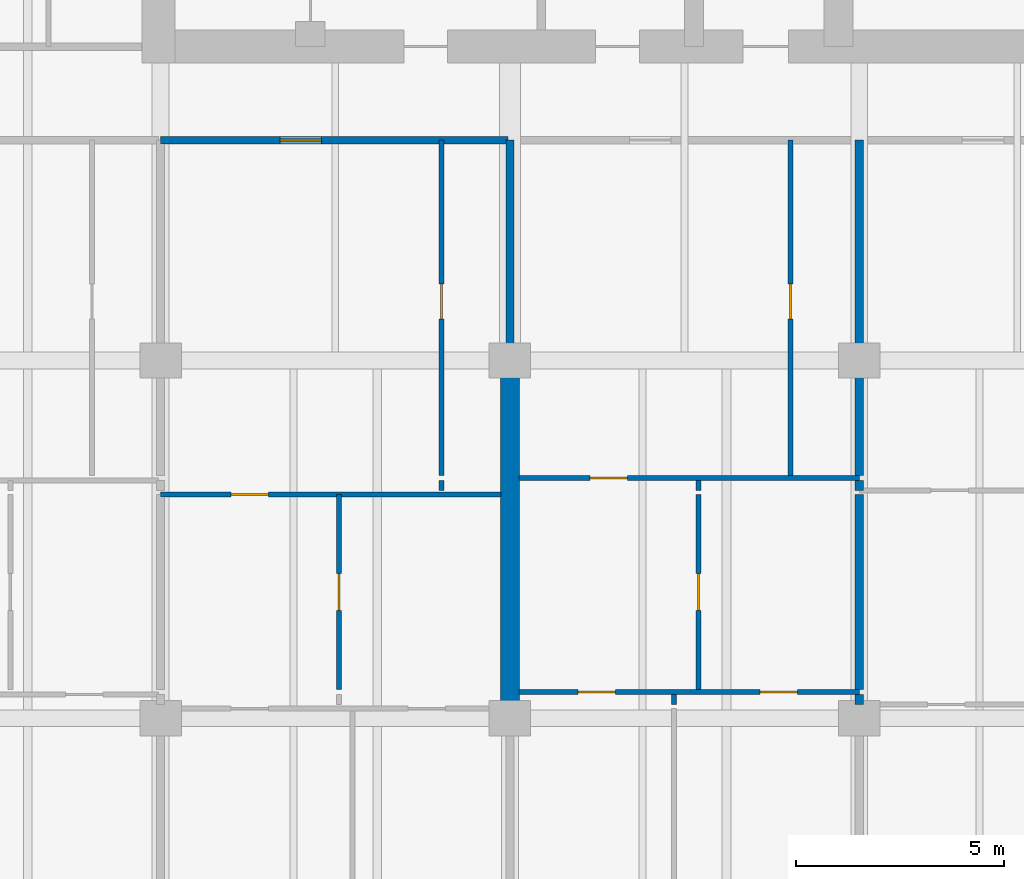
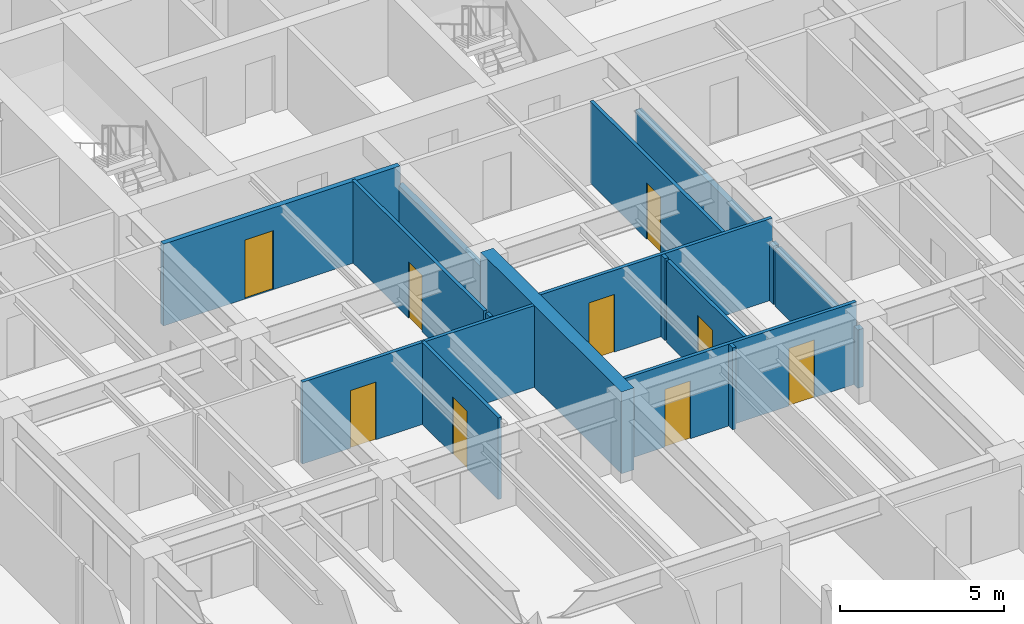
# One storey, part 7 of 18: 17 walls, 9 doors, 9 openings.
"""IFC4 building model written with IfcOpenShell, lengths in metres."""

from ifc_helpers import new_model, si_unit, direction, frame, frame_2d, origin, place, context, subcontext, project, spatial, rectangle, extrude, material, layer, layer_set, type_object, element, fill, save


model = new_model("IFC4")

# Units and contexts
model_context = context("Model", 3, precision=1e-05, world=origin(), true_north=direction((0.0, 1.0)))
body_context = subcontext(model_context, "Body", "Model", "MODEL_VIEW")
ifc_project = project(units=[si_unit("LENGTHUNIT", "METRE"), si_unit("AREAUNIT", "SQUARE_METRE"), si_unit("VOLUMEUNIT", "CUBIC_METRE"), si_unit("PLANEANGLEUNIT", "RADIAN"), si_unit("MASSUNIT", "GRAM", prefix="KILO")], contexts=[model_context])

# Site, building, storey
site_placement = place(None, origin())
site = spatial("IfcSite", under=ifc_project, at=site_placement, CompositionType="ELEMENT")
building_placement = place(site_placement, origin())
building = spatial("IfcBuilding", under=site, at=building_placement, Name="Caelmar Bay Residences", CompositionType="ELEMENT")
storey_placement = place(building_placement, frame((0.0, 0.0, 129.0)))
storey = spatial("IfcBuildingStorey", under=building, at=storey_placement, Name="L35", CompositionType="ELEMENT", Elevation=129.0)

# Wall
ifc_material_1 = material(Name="Concrete f'c 55 MPa (8,000 psi)", Category="concrete")
ifc_layer_1 = layer(ifc_material_1, 0.449951171875)
ifc_layer_set_1 = layer_set([ifc_layer_1], Name="Concrete f'c 55 MPa (8,000 psi)")
wall_type_1 = type_object("IfcWallType", Name="SW-XSLB-450", PredefinedType="SHEAR", material=ifc_layer_set_1)
wall_1_placement = place(storey_placement, frame((26.699951171875, 20.800048828125, 0.0), z_axis=(0.0, 0.0, 1.0), x_axis=(0.0, 1.0, 0.0)))
element("IfcWall", 1, at=wall_1_placement, inside=storey, type_object=wall_type_1, Name="L35 Transverse Cross-Slab Shear Wall W5", PredefinedType="SHEAR", context=body_context, shape_type="SweptSolid", body=[
    extrude(rectangle(XDim=8.599853515625, YDim=0.449951171875, at=frame_2d((4.2998046875, 0.0))), origin(), (0.0, 0.0, 1.0), 3.050048828125),
])

# Wall, opening, door
ifc_material_2 = material(Name="Double-stud acoustic fire-rated gypsum partition 180 mm")
ifc_layer_2 = layer(ifc_material_2, 0.179931640625)
ifc_layer_set_2 = layer_set([ifc_layer_2], Name="Double-stud acoustic fire-rated gypsum partition 180 mm")
wall_type_2 = type_object("IfcWallType", Name="W-COR-200", PredefinedType="PARTITIONING", material=ifc_layer_set_2)
wall_2_placement = place(storey_placement, frame((18.300048828125, 34.699951171875, 0.0), z_axis=(0.0, 0.0, 1.0), x_axis=(1.0, 0.0, 0.0)))
wall_2 = element("IfcWall", 2, at=wall_2_placement, inside=storey, type_object=wall_type_2, Name="L35 Partition Wall H143", PredefinedType="PARTITIONING", context=body_context, shape_type="SweptSolid", body=[
    extrude(rectangle(XDim=8.349853515625, YDim=0.179931640625, at=frame_2d((4.1748046875, 0.0))), origin(), (0.0, 0.0, 1.0), 3.050048828125),
])
opening_1_placement = place(wall_2_placement, frame((2.875, 0.0, 0.0)))
opening_1 = element("IfcOpeningElement", 3, at=opening_1_placement, cuts=wall_2, Name="Opening D-L35-131", PredefinedType="OPENING", context=body_context, shape_type="SweptSolid", body=[
    extrude(rectangle(XDim=1.0, YDim=2.199951171875, at=frame_2d((0.5, 1.10009765625))), frame((0.0, 0.099853515625, 0.0), z_axis=(0.0, -1.0, 0.0), x_axis=(1.0, 0.0, 0.0)), (0.0, 0.0, 1.0), 0.199951171875),
])
ifc_material_3 = material(Name="Fire-rated steel and walnut architectural door assembly", Category="steel")
ifc_layer_3 = layer(ifc_material_3, 0.050048828125)
ifc_layer_set_3 = layer_set([ifc_layer_3], Name="Fire-rated steel and walnut architectural door assembly")
door_type_1 = type_object("IfcDoorType", Name="D-UNIT-1000", OperationType="NOTDEFINED", PredefinedType="DOOR", material=ifc_layer_set_3)
door_1_placement = place(opening_1_placement, origin())
door_1 = element("IfcDoor", 4, at=door_1_placement, inside=storey, type_object=door_type_1, Name="L35 Residence 02 Apartment Hall Door", OperationType="SINGLE_SWING_RIGHT", OverallHeight=2.199951171875, OverallWidth=1.0, PredefinedType="DOOR", context=body_context, shape_type="SweptSolid", body=[
    extrude(rectangle(XDim=1.0, YDim=2.199951171875, at=frame_2d((0.5, 1.10009765625))), frame((0.0, 0.02490234375, 0.0), z_axis=(0.0, -1.0, 0.0), x_axis=(1.0, 0.0, 0.0)), (0.0, 0.0, 1.0), 0.050048828125),
])
fill(opening_1, door_1)

ifc_material_4 = material(Name="Acoustic metal-stud gypsum partition 120 mm")
ifc_layer_4 = layer(ifc_material_4, 0.1201171875)
ifc_layer_set_4 = layer_set([ifc_layer_4], Name="Acoustic metal-stud gypsum partition 120 mm")
wall_type_3 = type_object("IfcWallType", Name="W-PRT-120", PredefinedType="PARTITIONING", material=ifc_layer_set_4)
wall_3_placement = place(storey_placement, frame((22.5859375, 21.489990234375, 0.0), z_axis=(0.0, 0.0, 1.0), x_axis=(0.0, 1.0, 0.0)))
wall_3 = element("IfcWall", 5, at=wall_3_placement, inside=storey, type_object=wall_type_3, Name="L35 Partition Wall V031", PredefinedType="PARTITIONING", context=body_context, shape_type="SweptSolid", body=[
    extrude(rectangle(XDim=4.68994140625, YDim=0.1201171875, at=frame_2d((2.344970703125, 0.0))), origin(), (0.0, 0.0, 1.0), 3.050048828125),
])
opening_2_placement = place(wall_3_placement, frame((1.89501953125, 0.0, 0.0)))
opening_2 = element("IfcOpeningElement", 6, at=opening_2_placement, cuts=wall_3, Name="Opening D-L35-134", PredefinedType="OPENING", context=body_context, shape_type="SweptSolid", body=[
    extrude(rectangle(XDim=0.89990234375, YDim=2.14990234375, at=frame_2d((0.449951171875, 1.074951171875))), frame((0.0, 0.070068359375, 0.0), z_axis=(0.0, -1.0, 0.0), x_axis=(1.0, 0.0, 0.0)), (0.0, 0.0, 1.0), 0.14013671875),
])
ifc_material_5 = material(Name="Solid walnut timber interior door leaf and frame", Category="wood")
ifc_layer_5 = layer(ifc_material_5, 0.050048828125)
ifc_layer_set_5 = layer_set([ifc_layer_5], Name="Solid walnut timber interior door leaf and frame")
door_type_2 = type_object("IfcDoorType", Name="D-ROOM-900", OperationType="NOTDEFINED", PredefinedType="DOOR", material=ifc_layer_set_5)
door_2_placement = place(opening_2_placement, origin())
door_2 = element("IfcDoor", 7, at=door_2_placement, inside=storey, type_object=door_type_2, Name="L35 Residence 02 Study Door", OperationType="SINGLE_SWING_LEFT", OverallHeight=2.14990234375, OverallWidth=0.89990234375, PredefinedType="DOOR", context=body_context, shape_type="SweptSolid", body=[
    extrude(rectangle(XDim=0.89990234375, YDim=2.14990234375, at=frame_2d((0.449951171875, 1.074951171875))), frame((0.0, 0.02490234375, 0.0), z_axis=(0.0, -1.0, 0.0), x_axis=(1.0, 0.0, 0.0)), (0.0, 0.0, 1.0), 0.050048828125),
])
fill(opening_2, door_2)

# Wall
wall_4_placement = place(storey_placement, frame((25.050048828125, 26.280029296875, 0.0), z_axis=(0.0, 0.0, 1.0), x_axis=(0.0, 1.0, 0.0)))
element("IfcWall", 8, at=wall_4_placement, inside=storey, type_object=wall_type_3, Name="L35 Partition Wall V034", PredefinedType="PARTITIONING", context=body_context, shape_type="SweptSolid", body=[
    extrude(rectangle(XDim=0.239990234375, YDim=0.1201171875, at=frame_2d((0.1201171875, 0.0))), origin(), (0.0, 0.0, 1.0), 3.050048828125),
])

# Wall, opening, door
wall_5_placement = place(storey_placement, frame((25.050048828125, 26.639892578125, 0.0), z_axis=(0.0, 0.0, 1.0), x_axis=(0.0, 1.0, 0.0)))
wall_5 = element("IfcWall", 9, at=wall_5_placement, inside=storey, type_object=wall_type_3, Name="L35 Partition Wall V035", PredefinedType="PARTITIONING", context=body_context, shape_type="SweptSolid", body=[
    extrude(rectangle(XDim=8.06005859375, YDim=0.1201171875, at=frame_2d((4.030029296875, 0.0))), origin(), (0.0, 0.0, 1.0), 3.050048828125),
])
opening_3_placement = place(wall_5_placement, frame((3.7548828125, 0.0, 0.0)))
opening_3 = element("IfcOpeningElement", 10, at=opening_3_placement, cuts=wall_5, Name="Opening D-L35-132", PredefinedType="OPENING", context=body_context, shape_type="SweptSolid", body=[
    extrude(rectangle(XDim=0.85009765625, YDim=2.10009765625, at=frame_2d((0.425048828125, 1.050048828125))), frame((0.0, 0.070068359375, 0.0), z_axis=(0.0, -1.0, 0.0), x_axis=(1.0, 0.0, 0.0)), (0.0, 0.0, 1.0), 0.14013671875),
])
ifc_layer_6 = layer(ifc_material_5, 0.050048828125)
ifc_layer_set_6 = layer_set([ifc_layer_6], Name="Solid walnut timber interior door leaf and frame")
door_type_3 = type_object("IfcDoorType", Name="D-BATH-850", OperationType="NOTDEFINED", PredefinedType="DOOR", material=ifc_layer_set_6)
door_3_placement = place(opening_3_placement, origin())
door_3 = element("IfcDoor", 11, at=door_3_placement, inside=storey, type_object=door_type_3, Name="L35 Residence 02 Bathroom Door", OperationType="SINGLE_SWING_LEFT", OverallHeight=2.10009765625, OverallWidth=0.85009765625, PredefinedType="DOOR", context=body_context, shape_type="SweptSolid", body=[
    extrude(rectangle(XDim=0.85009765625, YDim=2.10009765625, at=frame_2d((0.425048828125, 1.050048828125))), frame((0.0, 0.02490234375, 0.0), z_axis=(0.0, -1.0, 0.0), x_axis=(1.0, 0.0, 0.0)), (0.0, 0.0, 1.0), 0.050048828125),
])
fill(opening_3, door_3)

# Wall
wall_6_placement = place(storey_placement, frame((30.64794921875, 21.1298828125, 0.0), z_axis=(0.0, 0.0, 1.0), x_axis=(0.0, 1.0, 0.0)))
element("IfcWall", 12, at=wall_6_placement, inside=storey, type_object=wall_type_3, Name="L35 Partition Wall V045", PredefinedType="PARTITIONING", context=body_context, shape_type="SweptSolid", body=[
    extrude(rectangle(XDim=0.240234375, YDim=0.1201171875, at=frame_2d((0.1201171875, 0.0))), origin(), (0.0, 0.0, 1.0), 3.050048828125),
])

# Wall, opening, door
wall_7_placement = place(storey_placement, frame((31.236083984375, 21.489990234375, 0.0), z_axis=(0.0, 0.0, 1.0), x_axis=(0.0, 1.0, 0.0)))
wall_7 = element("IfcWall", 13, at=wall_7_placement, inside=storey, type_object=wall_type_3, Name="L35 Partition Wall V046", PredefinedType="PARTITIONING", context=body_context, shape_type="SweptSolid", body=[
    extrude(rectangle(XDim=4.68994140625, YDim=0.1201171875, at=frame_2d((2.344970703125, 0.0))), origin(), (0.0, 0.0, 1.0), 3.050048828125),
])
opening_4_placement = place(wall_7_placement, frame((1.89501953125, 0.0, 0.0)))
opening_4 = element("IfcOpeningElement", 14, at=opening_4_placement, cuts=wall_7, Name="Opening D-L35-141", PredefinedType="OPENING", context=body_context, shape_type="SweptSolid", body=[
    extrude(rectangle(XDim=0.89990234375, YDim=2.14990234375, at=frame_2d((0.449951171875, 1.074951171875))), frame((0.0, 0.070068359375, 0.0), z_axis=(0.0, -1.0, 0.0), x_axis=(1.0, 0.0, 0.0)), (0.0, 0.0, 1.0), 0.14013671875),
])
door_4_placement = place(opening_4_placement, origin())
door_4 = element("IfcDoor", 15, at=door_4_placement, inside=storey, type_object=door_type_2, Name="L35 Residence 03 Study Door", OperationType="SINGLE_SWING_RIGHT", OverallHeight=2.14990234375, OverallWidth=0.89990234375, PredefinedType="DOOR", context=body_context, shape_type="SweptSolid", body=[
    extrude(rectangle(XDim=0.89990234375, YDim=2.14990234375, at=frame_2d((0.449951171875, 1.074951171875))), frame((0.0, 0.02490234375, 0.0), z_axis=(0.0, -1.0, 0.0), x_axis=(1.0, 0.0, 0.0)), (0.0, 0.0, 1.0), 0.050048828125),
])
fill(opening_4, door_4)

# Wall
wall_8_placement = place(storey_placement, frame((31.236083984375, 26.280029296875, 0.0), z_axis=(0.0, 0.0, 1.0), x_axis=(0.0, 1.0, 0.0)))
element("IfcWall", 16, at=wall_8_placement, inside=storey, type_object=wall_type_3, Name="L35 Partition Wall V047", PredefinedType="PARTITIONING", context=body_context, shape_type="SweptSolid", body=[
    extrude(rectangle(XDim=0.239990234375, YDim=0.1201171875, at=frame_2d((0.1201171875, 0.0))), origin(), (0.0, 0.0, 1.0), 3.050048828125),
])

# Wall, opening, door
wall_9_placement = place(storey_placement, frame((33.449951171875, 26.639892578125, 0.0), z_axis=(0.0, 0.0, 1.0), x_axis=(0.0, 1.0, 0.0)))
wall_9 = element("IfcWall", 17, at=wall_9_placement, inside=storey, type_object=wall_type_3, Name="L35 Partition Wall V049", PredefinedType="PARTITIONING", context=body_context, shape_type="SweptSolid", body=[
    extrude(rectangle(XDim=8.06005859375, YDim=0.1201171875, at=frame_2d((4.030029296875, 0.0))), origin(), (0.0, 0.0, 1.0), 3.050048828125),
])
opening_5_placement = place(wall_9_placement, frame((3.7548828125, 0.0, 0.0)))
opening_5 = element("IfcOpeningElement", 18, at=opening_5_placement, cuts=wall_9, Name="Opening D-L35-139", PredefinedType="OPENING", context=body_context, shape_type="SweptSolid", body=[
    extrude(rectangle(XDim=0.85009765625, YDim=2.10009765625, at=frame_2d((0.425048828125, 1.050048828125))), frame((0.0, 0.070068359375, 0.0), z_axis=(0.0, -1.0, 0.0), x_axis=(1.0, 0.0, 0.0)), (0.0, 0.0, 1.0), 0.14013671875),
])
door_5_placement = place(opening_5_placement, origin())
door_5 = element("IfcDoor", 19, at=door_5_placement, inside=storey, type_object=door_type_3, Name="L35 Residence 03 Bathroom Door", OperationType="SINGLE_SWING_RIGHT", OverallHeight=2.10009765625, OverallWidth=0.85009765625, PredefinedType="DOOR", context=body_context, shape_type="SweptSolid", body=[
    extrude(rectangle(XDim=0.85009765625, YDim=2.10009765625, at=frame_2d((0.425048828125, 1.050048828125))), frame((0.0, 0.02490234375, 0.0), z_axis=(0.0, -1.0, 0.0), x_axis=(1.0, 0.0, 0.0)), (0.0, 0.0, 1.0), 0.050048828125),
])
fill(opening_5, door_5)

# Wall, openings, doors
wall_10_placement = place(storey_placement, frame((26.919921875, 21.429931640625, 0.0), z_axis=(0.0, 0.0, 1.0), x_axis=(1.0, 0.0, 0.0)))
wall_10 = element("IfcWall", 20, at=wall_10_placement, inside=storey, type_object=wall_type_3, Name="L35 Partition Wall H132", PredefinedType="PARTITIONING", context=body_context, shape_type="SweptSolid", body=[
    extrude(rectangle(XDim=8.18017578125, YDim=0.1201171875, at=frame_2d((4.090087890625, 0.0))), origin(), (0.0, 0.0, 1.0), 3.050048828125),
])
opening_6_placement = place(wall_10_placement, frame((1.4140625, 0.0, 0.0)))
opening_6 = element("IfcOpeningElement", 21, at=opening_6_placement, cuts=wall_10, Name="Opening D-L35-142", PredefinedType="OPENING", context=body_context, shape_type="SweptSolid", body=[
    extrude(rectangle(XDim=0.89990234375, YDim=2.14990234375, at=frame_2d((0.449951171875, 1.074951171875))), frame((0.0, 0.070068359375, 0.0), z_axis=(0.0, -1.0, 0.0), x_axis=(1.0, 0.0, 0.0)), (0.0, 0.0, 1.0), 0.14013671875),
])
opening_7_placement = place(wall_10_placement, frame((5.798095703125, 0.0, 0.0)))
opening_7 = element("IfcOpeningElement", 22, at=opening_7_placement, cuts=wall_10, Name="Opening D-L35-143", PredefinedType="OPENING", context=body_context, shape_type="SweptSolid", body=[
    extrude(rectangle(XDim=0.89990234375, YDim=2.14990234375, at=frame_2d((0.449951171875, 1.074951171875))), frame((0.0, 0.070068359375, 0.0), z_axis=(0.0, -1.0, 0.0), x_axis=(1.0, 0.0, 0.0)), (0.0, 0.0, 1.0), 0.14013671875),
])
door_6_placement = place(opening_6_placement, origin())
door_6 = element("IfcDoor", 23, at=door_6_placement, inside=storey, type_object=door_type_2, Name="L35 Residence 03 Living Room Door", OperationType="SINGLE_SWING_LEFT", OverallHeight=2.14990234375, OverallWidth=0.89990234375, PredefinedType="DOOR", context=body_context, shape_type="SweptSolid", body=[
    extrude(rectangle(XDim=0.89990234375, YDim=2.14990234375, at=frame_2d((0.449951171875, 1.074951171875))), frame((0.0, 0.02490234375, 0.0), z_axis=(0.0, -1.0, 0.0), x_axis=(1.0, 0.0, 0.0)), (0.0, 0.0, 1.0), 0.050048828125),
])
fill(opening_6, door_6)
door_7_placement = place(opening_7_placement, origin())
door_7 = element("IfcDoor", 24, at=door_7_placement, inside=storey, type_object=door_type_2, Name="L35 Residence 03 Penthouse Sitting Room Door", OperationType="SINGLE_SWING_RIGHT", OverallHeight=2.14990234375, OverallWidth=0.89990234375, PredefinedType="DOOR", context=body_context, shape_type="SweptSolid", body=[
    extrude(rectangle(XDim=0.89990234375, YDim=2.14990234375, at=frame_2d((0.449951171875, 1.074951171875))), frame((0.0, 0.02490234375, 0.0), z_axis=(0.0, -1.0, 0.0), x_axis=(1.0, 0.0, 0.0)), (0.0, 0.0, 1.0), 0.050048828125),
])
fill(opening_7, door_7)

# Wall, opening, door
wall_11_placement = place(storey_placement, frame((18.300048828125, 26.179931640625, 0.0), z_axis=(0.0, 0.0, 1.0), x_axis=(1.0, 0.0, 0.0)))
wall_11 = element("IfcWall", 25, at=wall_11_placement, inside=storey, type_object=wall_type_3, Name="L35 Partition Wall H134", PredefinedType="PARTITIONING", context=body_context, shape_type="SweptSolid", body=[
    extrude(rectangle(XDim=8.179931640625, YDim=0.1201171875, at=frame_2d((4.08984375, 0.0))), origin(), (0.0, 0.0, 1.0), 3.050048828125),
])
opening_8_placement = place(wall_11_placement, frame((1.693115234375, 0.0, 0.0)))
opening_8 = element("IfcOpeningElement", 26, at=opening_8_placement, cuts=wall_11, Name="Opening D-L35-133", PredefinedType="OPENING", context=body_context, shape_type="SweptSolid", body=[
    extrude(rectangle(XDim=0.89990234375, YDim=2.14990234375, at=frame_2d((0.449951171875, 1.074951171875))), frame((0.0, 0.070068359375, 0.0), z_axis=(0.0, -1.0, 0.0), x_axis=(1.0, 0.0, 0.0)), (0.0, 0.0, 1.0), 0.14013671875),
])
door_8_placement = place(opening_8_placement, origin())
door_8 = element("IfcDoor", 27, at=door_8_placement, inside=storey, type_object=door_type_2, Name="L35 Residence 02 Kitchen Door", OperationType="SINGLE_SWING_RIGHT", OverallHeight=2.14990234375, OverallWidth=0.89990234375, PredefinedType="DOOR", context=body_context, shape_type="SweptSolid", body=[
    extrude(rectangle(XDim=0.89990234375, YDim=2.14990234375, at=frame_2d((0.449951171875, 1.074951171875))), frame((0.0, 0.02490234375, 0.0), z_axis=(0.0, -1.0, 0.0), x_axis=(1.0, 0.0, 0.0)), (0.0, 0.0, 1.0), 0.050048828125),
])
fill(opening_8, door_8)

wall_12_placement = place(storey_placement, frame((26.919921875, 26.580078125, 0.0), z_axis=(0.0, 0.0, 1.0), x_axis=(1.0, 0.0, 0.0)))
wall_12 = element("IfcWall", 28, at=wall_12_placement, inside=storey, type_object=wall_type_3, Name="L35 Partition Wall H139", PredefinedType="PARTITIONING", context=body_context, shape_type="SweptSolid", body=[
    extrude(rectangle(XDim=8.18017578125, YDim=0.1201171875, at=frame_2d((4.090087890625, 0.0))), origin(), (0.0, 0.0, 1.0), 3.050048828125),
])
opening_9_placement = place(wall_12_placement, frame((1.7080078125, 0.0, 0.0)))
opening_9 = element("IfcOpeningElement", 29, at=opening_9_placement, cuts=wall_12, Name="Opening D-L35-140", PredefinedType="OPENING", context=body_context, shape_type="SweptSolid", body=[
    extrude(rectangle(XDim=0.89990234375, YDim=2.14990234375, at=frame_2d((0.449951171875, 1.074951171875))), frame((0.0, 0.070068359375, 0.0), z_axis=(0.0, -1.0, 0.0), x_axis=(1.0, 0.0, 0.0)), (0.0, 0.0, 1.0), 0.14013671875),
])
door_9_placement = place(opening_9_placement, origin())
door_9 = element("IfcDoor", 30, at=door_9_placement, inside=storey, type_object=door_type_2, Name="L35 Residence 03 Kitchen Door", OperationType="SINGLE_SWING_LEFT", OverallHeight=2.14990234375, OverallWidth=0.89990234375, PredefinedType="DOOR", context=body_context, shape_type="SweptSolid", body=[
    extrude(rectangle(XDim=0.89990234375, YDim=2.14990234375, at=frame_2d((0.449951171875, 1.074951171875))), frame((0.0, 0.02490234375, 0.0), z_axis=(0.0, -1.0, 0.0), x_axis=(1.0, 0.0, 0.0)), (0.0, 0.0, 1.0), 0.050048828125),
])
fill(opening_9, door_9)

# Walls
ifc_material_6 = material(Name="Acoustic twin-stud fire-rated inter-tenancy partition 200 mm")
ifc_layer_7 = layer(ifc_material_6, 0.199951171875)
ifc_layer_set_7 = layer_set([ifc_layer_7], Name="Acoustic twin-stud fire-rated inter-tenancy partition 200 mm")
wall_type_4 = type_object("IfcWallType", Name="W-PTY-200", PredefinedType="PARTITIONING", material=ifc_layer_set_7)
wall_13_placement = place(storey_placement, frame((26.699951171875, 29.405029296875, 0.0), z_axis=(0.0, 0.0, 1.0), x_axis=(0.0, 1.0, 0.0)))
element("IfcWall", 31, at=wall_13_placement, inside=storey, type_object=wall_type_4, Name="L35 Partition Wall V040", PredefinedType="PARTITIONING", context=body_context, shape_type="SweptSolid", body=[
    extrude(rectangle(XDim=5.294921875, YDim=0.199951171875, at=frame_2d((2.6474609375, 0.0))), origin(), (0.0, 0.0, 1.0), 2.3349609375),
])
wall_14_placement = place(storey_placement, frame((35.10009765625, 21.1298828125, 0.0), z_axis=(0.0, 0.0, 1.0), x_axis=(0.0, 1.0, 0.0)))
element("IfcWall", 32, at=wall_14_placement, inside=storey, type_object=wall_type_4, Name="L35 Partition Wall V052", PredefinedType="PARTITIONING", context=body_context, shape_type="SweptSolid", body=[
    extrude(rectangle(XDim=0.240234375, YDim=0.199951171875, at=frame_2d((0.1201171875, 0.0))), origin(), (0.0, 0.0, 1.0), 2.174072265625),
])
wall_15_placement = place(storey_placement, frame((35.10009765625, 21.489990234375, 0.0), z_axis=(0.0, 0.0, 1.0), x_axis=(0.0, 1.0, 0.0)))
element("IfcWall", 33, at=wall_15_placement, inside=storey, type_object=wall_type_4, Name="L35 Partition Wall V053", PredefinedType="PARTITIONING", context=body_context, shape_type="SweptSolid", body=[
    extrude(rectangle(XDim=4.68994140625, YDim=0.199951171875, at=frame_2d((2.344970703125, 0.0))), origin(), (0.0, 0.0, 1.0), 2.174072265625),
])
wall_16_placement = place(storey_placement, frame((35.10009765625, 26.280029296875, 0.0), z_axis=(0.0, 0.0, 1.0), x_axis=(0.0, 1.0, 0.0)))
element("IfcWall", 34, at=wall_16_placement, inside=storey, type_object=wall_type_4, Name="L35 Partition Wall V054", PredefinedType="PARTITIONING", context=body_context, shape_type="SweptSolid", body=[
    extrude(rectangle(XDim=0.239990234375, YDim=0.199951171875, at=frame_2d((0.1201171875, 0.0))), origin(), (0.0, 0.0, 1.0), 2.174072265625),
])
wall_17_placement = place(storey_placement, frame((35.10009765625, 26.639892578125, 0.0), z_axis=(0.0, 0.0, 1.0), x_axis=(0.0, 1.0, 0.0)))
element("IfcWall", 35, at=wall_17_placement, inside=storey, type_object=wall_type_4, Name="L35 Partition Wall V055", PredefinedType="PARTITIONING", context=body_context, shape_type="SweptSolid", body=[
    extrude(rectangle(XDim=8.06005859375, YDim=0.199951171875, at=frame_2d((4.030029296875, 0.0))), origin(), (0.0, 0.0, 1.0), 2.174072265625),
])

save(model, "model.ifc")
